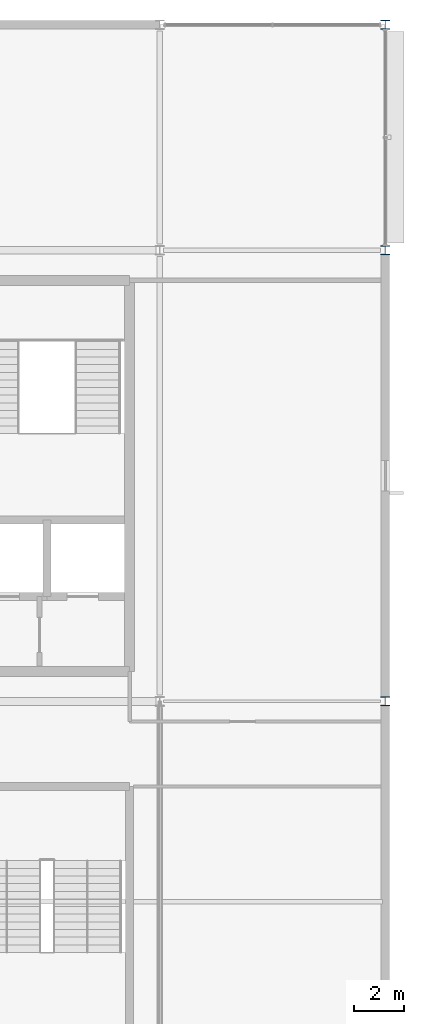
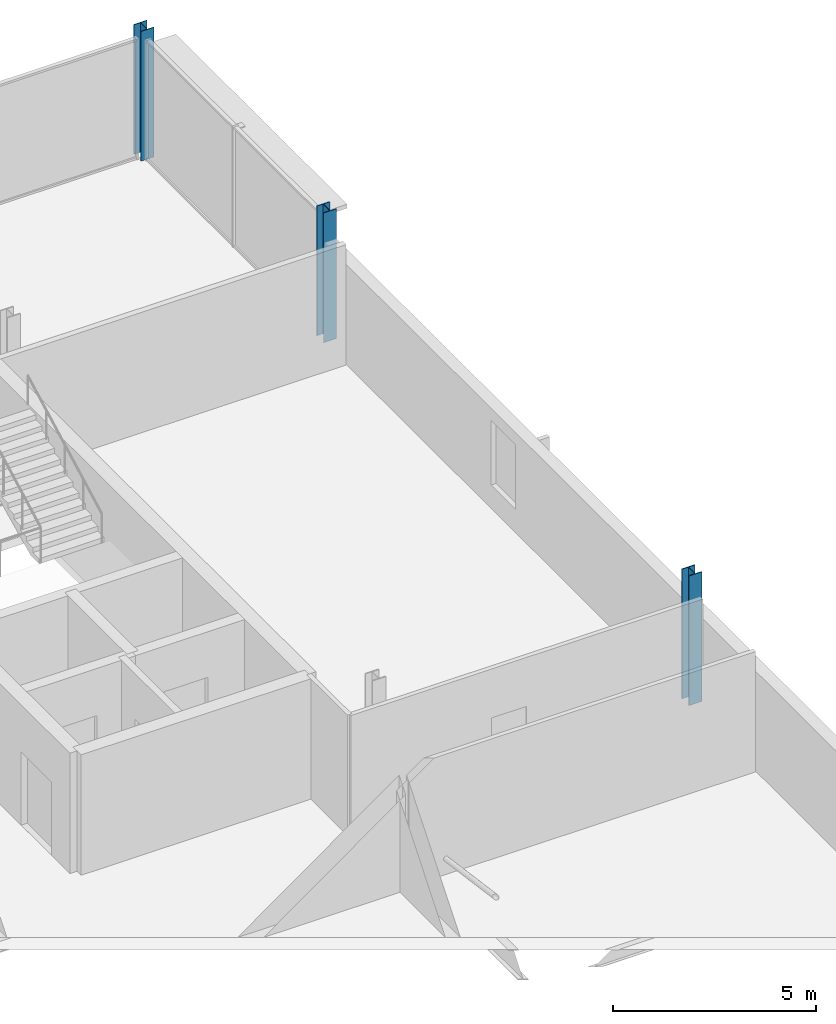
# One storey, part 16 of 98: 3 columns.
"""IFC4 building model written with IfcOpenShell, lengths in metres."""

import ifcopenshell
import ifcopenshell.guid

model = None  # the IFC model being written
_history = None  # IfcOwnerHistory: only IFC2X3 demands one
_inside = {}  # id of a spatial element -> (the spatial element, [elements in it])
_under = {}  # id of a project, library or spatial element -> (it, [spatial elements below it])
_declared = {}  # id of a project -> (the project, [libraries it declares])
_typed = {}  # id of a type object -> (the type object, [elements of that type])
_made_of = {}  # id of a material, layer set ... -> (it, [elements and type objects made of it])


def new_model(schema):
    """Start an empty IFC model of exactly this schema.

    Asked for "IFC4X3", IfcOpenShell would pick the latest addendum, in which some entities
    have other attributes; the version numbers below select the first issue.
    IFC2X3 requires an IfcOwnerHistory on every rooted entity: one is made here for all.
    """
    global model, _history
    if schema == "IFC4X3":
        model = ifcopenshell.file(schema_version=(4, 3, 0, 0))
    else:
        model = ifcopenshell.file(schema=schema)
    _inside.clear()
    _under.clear()
    _declared.clear()
    _typed.clear()
    _made_of.clear()
    _history = None
    if model.schema == "IFC2X3":
        org = make("IfcOrganization", Name="unknown")
        user = make(
            "IfcPersonAndOrganization",
            ThePerson=make("IfcPerson", FamilyName="unknown"),
            TheOrganization=org,
        )
        app = make(
            "IfcApplication",
            ApplicationDeveloper=org,
            Version="unknown",
            ApplicationFullName="unknown",
            ApplicationIdentifier="unknown",
        )
        _history = make(
            "IfcOwnerHistory",
            OwningUser=user,
            OwningApplication=app,
            ChangeAction="ADDED",
            CreationDate=0,
        )
    return model


def make(cls, **values):
    """One entity of the class cls with the attributes given. An attribute that is None is left unset."""
    return model.create_entity(
        cls, **{name: value for name, value in values.items() if value is not None}
    )


def rooted(cls, **values):
    """An entity with a GlobalId (a new one), such as an element, a storey or a relation."""
    return make(cls, GlobalId=ifcopenshell.guid.new(), OwnerHistory=_history, **values)


def si_unit(unit_type, name, prefix=None):
    """IfcSIUnit, for example si_unit("LENGTHUNIT", "METRE", prefix="MILLI")."""
    return make("IfcSIUnit", UnitType=unit_type, Prefix=prefix, Name=name)


def assignment(units):
    """IfcUnitAssignment: the units of a project."""
    return None if units is None else make("IfcUnitAssignment", Units=units)


def point(xyz):
    """IfcCartesianPoint."""
    return None if xyz is None else make("IfcCartesianPoint", Coordinates=xyz)


def direction(xyz):
    """IfcDirection."""
    return None if xyz is None else make("IfcDirection", DirectionRatios=xyz)


def frame(location, z_axis=None, x_axis=None):
    """IfcAxis2Placement3D, a coordinate frame: its origin and axes. An axis left out is left unset."""
    return make(
        "IfcAxis2Placement3D",
        Location=point(location),
        Axis=direction(z_axis),
        RefDirection=direction(x_axis),
    )


def frame_2d(location, x_axis=None):
    """IfcAxis2Placement2D, a coordinate frame in the plane: its origin and x axis."""
    return make(
        "IfcAxis2Placement2D", Location=point(location), RefDirection=direction(x_axis)
    )


def origin():
    """The frame at (0, 0, 0) with its axes left unset."""
    return frame((0.0, 0.0, 0.0))


def origin_2d():
    """The frame at (0, 0) in the plane with its x axis left unset."""
    return frame_2d((0.0, 0.0))


def place(relative_to, where):
    """IfcLocalPlacement: puts the frame where relative to a parent placement (None: the world)."""
    return make(
        "IfcLocalPlacement", PlacementRelTo=relative_to, RelativePlacement=where
    )


def context(
    kind, dimensions, precision=None, world=None, true_north=None, identifier=None
):
    """IfcGeometricRepresentationContext, for example the 3D "Model" context."""
    return make(
        "IfcGeometricRepresentationContext",
        ContextIdentifier=identifier,
        ContextType=kind,
        CoordinateSpaceDimension=dimensions,
        Precision=precision,
        WorldCoordinateSystem=world,
        TrueNorth=true_north,
    )


def subcontext(parent, identifier, kind, view, scale=None):
    """IfcGeometricRepresentationSubContext, for example "Body" below "Model"."""
    return make(
        "IfcGeometricRepresentationSubContext",
        ContextIdentifier=identifier,
        ContextType=kind,
        ParentContext=parent,
        TargetScale=scale,
        TargetView=view,
    )


def project(units=None, contexts=None):
    """IfcProject with its units and contexts."""
    return rooted(
        "IfcProject",
        Name="project",
        RepresentationContexts=contexts,
        UnitsInContext=assignment(units),
    )


def spatial(cls, under=None, at=None, **own):
    """A site, building, storey or space (cls), placed at a placement, below another one or the project."""
    s = rooted(cls, ObjectPlacement=at, **own)
    if under is not None:
        _under.setdefault(under.id(), (under, []))[1].append(s)
    return s


def profile(cls, at=None, kind="AREA", **sizes):
    """A parametric profile (cls). Its sizes go by their IFC names, for example OverallWidth=200.0."""
    return make(cls, ProfileType=kind, Position=at, **sizes)


def i_section(**sizes):
    """IfcIShapeProfileDef."""
    return profile("IfcIShapeProfileDef", **sizes)


def extrude(swept, where, along, depth):
    """IfcExtrudedAreaSolid: the profile swept, set in the frame where, extruded along a direction by depth."""
    return make(
        "IfcExtrudedAreaSolid",
        SweptArea=swept,
        Position=where,
        ExtrudedDirection=direction(along),
        Depth=depth,
    )


def shape(context_of_items, identifier, shape_type, items):
    """IfcShapeRepresentation: the items that make up one representation, for example the "Body"."""
    return make(
        "IfcShapeRepresentation",
        ContextOfItems=context_of_items,
        RepresentationIdentifier=identifier,
        RepresentationType=shape_type,
        Items=items,
    )


def material(Name=None, Category=None):
    """IfcMaterial."""
    return make("IfcMaterial", Name=Name, Category=Category)


def material_profile(
    of_material, cross_section, Name=None, Category=None, Priority=None
):
    """IfcMaterialProfile: a cross section and its material."""
    return make(
        "IfcMaterialProfile",
        Name=Name,
        Material=of_material,
        Profile=cross_section,
        Priority=Priority,
        Category=Category,
    )


def profile_set(profiles, Name=None, composite=None):
    """IfcMaterialProfileSet."""
    return make(
        "IfcMaterialProfileSet",
        Name=Name,
        MaterialProfiles=profiles,
        CompositeProfile=composite,
    )


def made_of(thing, what):
    """Note that an element or type object is made of a material, layer set ...; save() writes the relation."""
    if what is not None:
        _made_of.setdefault(what.id(), (what, []))[1].append(thing)
    return thing


def type_object(cls, material=None, **own):
    """A type object (cls), such as IfcWallType, which elements share."""
    return made_of(rooted(cls, **own), material)


def element(
    cls,
    number,
    at=None,
    inside=None,
    cuts=None,
    type_object=None,
    material=None,
    context=None,
    identifier="Body",
    shape_type=None,
    held_by="IfcProductDefinitionShape",
    body=None,
    shapes=None,
    **own,
):
    """One element of the class cls, such as IfcWall. Its Tag is "e" and its number.

    at: its placement. inside: the storey or other place that contains it. cuts: it is an
    opening in that element (IfcRelVoidsElement). A single representation is given by context,
    identifier, shape_type and body (its items); several are given by shapes. held_by: the class
    of the entity that holds the representations. save() writes the other relations.
    """
    e = rooted(cls, Tag="e%d" % number, ObjectPlacement=at, **own)
    if body is not None:
        shapes = [shape(context, identifier, shape_type, body)]
    if shapes is not None:
        e.Representation = make(held_by, Representations=shapes)
    if inside is not None:
        _inside.setdefault(inside.id(), (inside, []))[1].append(e)
    if cuts is not None:
        rooted(
            "IfcRelVoidsElement", RelatingBuildingElement=cuts, RelatedOpeningElement=e
        )
    if type_object is not None:
        _typed.setdefault(type_object.id(), (type_object, []))[1].append(e)
    return made_of(e, material)


def aggregate(whole, parts):
    """IfcRelAggregates: a whole, such as a stair, and the parts it consists of."""
    return rooted("IfcRelAggregates", RelatingObject=whole, RelatedObjects=parts)


def save(model, path):
    """Write the relations noted so far, then the file.

    IfcRelAggregates (storeys below a building ...), IfcRelContainedInSpatialStructure (elements
    in a storey), IfcRelDefinesByType, IfcRelAssociatesMaterial and IfcRelDeclares: one each for
    every whole, place, type object, material and project.
    """
    for whole, parts in _under.values():
        aggregate(whole, parts)
    for where, things in _inside.values():
        rooted(
            "IfcRelContainedInSpatialStructure",
            RelatedElements=things,
            RelatingStructure=where,
        )
    for kind, things in _typed.values():
        rooted("IfcRelDefinesByType", RelatedObjects=things, RelatingType=kind)
    for what, things in _made_of.values():
        rooted("IfcRelAssociatesMaterial", RelatedObjects=things, RelatingMaterial=what)
    for by, libraries in _declared.values():
        rooted("IfcRelDeclares", RelatingContext=by, RelatedDefinitions=libraries)
    model.write(path)


model = new_model("IFC4")

# Units and contexts
model_context = context("Model", 3, precision=1e-05, world=origin(), true_north=direction((0.0, 1.0)))
body_context = subcontext(model_context, "Body", "Model", "MODEL_VIEW")
ifc_project = project(units=[si_unit("LENGTHUNIT", "METRE"), si_unit("AREAUNIT", "SQUARE_METRE"), si_unit("VOLUMEUNIT", "CUBIC_METRE"), si_unit("PLANEANGLEUNIT", "RADIAN"), si_unit("MASSUNIT", "GRAM", prefix="KILO")], contexts=[model_context])

# Site, building, storey
site_placement = place(None, origin())
site = spatial("IfcSite", under=ifc_project, at=site_placement, CompositionType="ELEMENT")
building_placement = place(site_placement, origin())
building = spatial("IfcBuilding", under=site, at=building_placement, Name="Kisiwana Market Hall", CompositionType="ELEMENT")
storey_placement = place(building_placement, frame((0.0, 0.0, 29.39990234375)))
storey = spatial("IfcBuildingStorey", under=building, at=storey_placement, Name="L06", CompositionType="ELEMENT", Elevation=29.39990234375)

# Columns
ifc_material = material(Name="Steel S355", Category="steel")
ifc_material_profile = material_profile(ifc_material, i_section(OverallWidth=0.37060546875, OverallDepth=0.362060546875, WebThickness=0.01220703125, FlangeThickness=0.020751953125, at=origin_2d()), Name="UC 356x368x153")
ifc_profile_set = profile_set([ifc_material_profile], Name="Steel S355")
column_type = type_object("IfcColumnType", Name="COL-STL-UC153", PredefinedType="COLUMN", material=ifc_profile_set)
for number, where, z_axis, x_axis, name in (
    (1, (198.0, 84.0, 0.0), (0.0, 0.0, 1.0), (1.0, 0.0, 0.0), "Column L/23 (L06) C-1063"),
    (2, (198.0, 102.0, 0.0), (0.0, 0.0, 1.0), (1.0, 0.0, 0.0), "Column N/23 (L06) C-1064"),
    (3, (198.0, 111.0, 0.0), (0.0, 0.0, 1.0), (1.0, 0.0, 0.0), "Column P/23 (L06) C-1065"),
):
    element("IfcColumn", number, at=place(storey_placement, frame(where, z_axis=z_axis, x_axis=x_axis)), inside=storey, type_object=column_type, Name=name, PredefinedType="COLUMN", context=body_context, shape_type="SweptSolid", body=[
        extrude(i_section(OverallWidth=0.37060546875, OverallDepth=0.362060546875, WebThickness=0.01220703125, FlangeThickness=0.020751953125, at=origin_2d()), origin(), (0.0, 0.0, 1.0), 3.900146484375),
    ])

save(model, "model.ifc")
